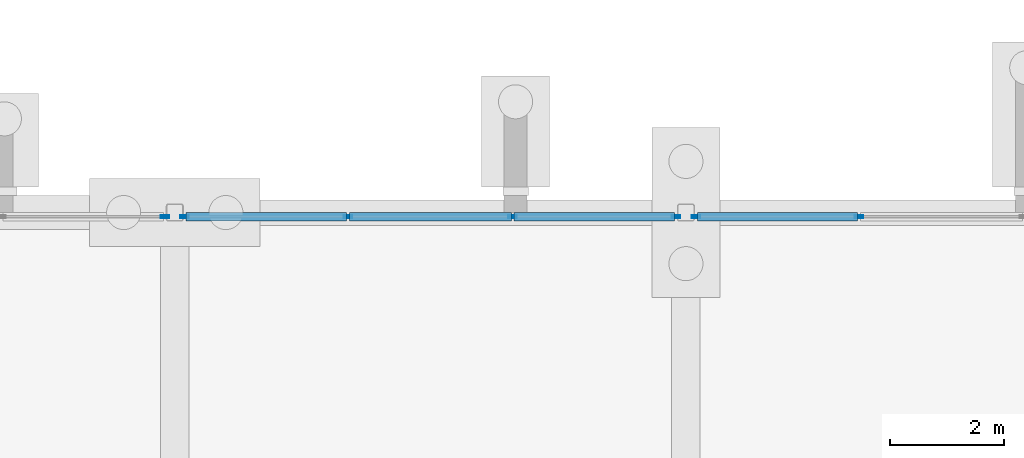
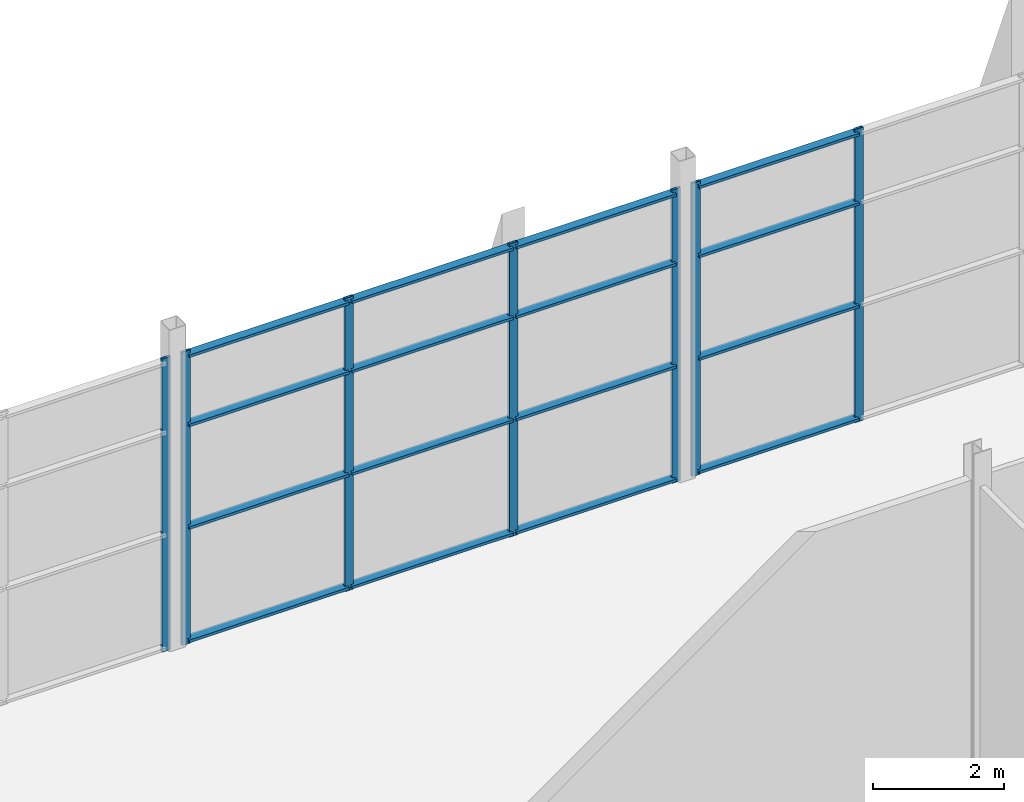
# One storey, part 82 of 139: 23 members, 3 elements without a shape of their own.
"""IFC4 building model written with IfcOpenShell, lengths in metres."""

from ifc_helpers import new_model, si_unit, direction, frame, origin, origin_2d, place, context, subcontext, project, spatial, hollow_rectangle, extrude, material, layer, layer_set, material_profile, profile_set, type_object, element, aggregate, save


model = new_model("IFC4")

# Units and contexts
model_context = context("Model", 3, precision=1e-05, world=origin(), true_north=direction((0.0, 1.0)))
body_context = subcontext(model_context, "Body", "Model", "MODEL_VIEW")
ifc_project = project(units=[si_unit("LENGTHUNIT", "METRE"), si_unit("AREAUNIT", "SQUARE_METRE"), si_unit("VOLUMEUNIT", "CUBIC_METRE"), si_unit("PLANEANGLEUNIT", "RADIAN"), si_unit("MASSUNIT", "GRAM", prefix="KILO")], contexts=[model_context])

# Site, building, storey
site_placement = place(None, origin())
site = spatial("IfcSite", under=ifc_project, at=site_placement, CompositionType="ELEMENT")
building_placement = place(site_placement, origin())
building = spatial("IfcBuilding", under=site, at=building_placement, Name="Shorebreak Coast Museum", CompositionType="ELEMENT")
storey_placement = place(building_placement, origin())
storey = spatial("IfcBuildingStorey", under=building, at=storey_placement, Name="L00", CompositionType="ELEMENT", Elevation=0.0)

# Curtain wall, member
ifc_material_1 = material(Name="Aluminium", Category="aluminium")
ifc_layer = layer(ifc_material_1, 0.14990234375)
ifc_layer_set = layer_set([ifc_layer], Name="Aluminium")
curtain_wall_type = type_object("IfcCurtainWallType", Name="Storefront curtain wall", PredefinedType="NOTDEFINED", material=ifc_layer_set)
curtain_wall_1_placement = place(storey_placement, origin())
curtain_wall_1 = element("IfcCurtainWall", 1, at=curtain_wall_1_placement, inside=storey, type_object=curtain_wall_type, Name="Storefront L00 N 2", PredefinedType="NOTDEFINED")
ifc_material_2 = material(Name="Aluminium", Category="aluminium")
ifc_material_profile_1 = material_profile(ifc_material_2, hollow_rectangle(XDim=0.050048828125, YDim=0.14990234375, WallThickness=0.00390625, at=origin_2d()), Name="AL 150x50 RHS")
ifc_profile_set_1 = profile_set([ifc_material_profile_1], Name="Aluminium")
member_type_1 = type_object("IfcMemberType", Name="Storefront mullion 50 x 150", PredefinedType="MULLION", material=ifc_profile_set_1)
member_1_placement = place(storey_placement, frame((125.824951171875, 89.925048828125, 0.0), z_axis=(0.0, 0.0, 1.0), x_axis=(0.0, 1.0, 0.0)))
member_1 = element("IfcMember", 2, at=member_1_placement, type_object=member_type_1, Name="CW8 mullion 4", PredefinedType="MULLION", context=body_context, shape_type="SweptSolid", body=[
    extrude(hollow_rectangle(XDim=0.050048828125, YDim=0.14990234375, WallThickness=0.00390625, at=origin_2d()), origin(), (0.0, 0.0, 1.0), 5.469482421875),
])
aggregate(curtain_wall_1, [member_1])

# Curtain wall, members
curtain_wall_2_placement = place(storey_placement, origin())
curtain_wall_2 = element("IfcCurtainWall", 3, at=curtain_wall_2_placement, inside=storey, type_object=curtain_wall_type, Name="Storefront L00 N 3", PredefinedType="NOTDEFINED")
member_2_placement = place(storey_placement, frame((126.175048828125, 89.925048828125, 0.0), z_axis=(0.0, 0.0, 1.0), x_axis=(0.0, 1.0, 0.0)))
member_2 = element("IfcMember", 4, at=member_2_placement, type_object=member_type_1, Name="CW8 mullion 1", PredefinedType="MULLION", context=body_context, shape_type="SweptSolid", body=[
    extrude(hollow_rectangle(XDim=0.050048828125, YDim=0.14990234375, WallThickness=0.00390625, at=origin_2d()), origin(), (0.0, 0.0, 1.0), 5.469482421875),
])
member_3_placement = place(storey_placement, frame((129.050048828125, 89.925048828125, 0.0), z_axis=(0.0, 0.0, 1.0), x_axis=(0.0, 1.0, 0.0)))
member_3 = element("IfcMember", 5, at=member_3_placement, type_object=member_type_1, Name="CW8 mullion 2", PredefinedType="MULLION", context=body_context, shape_type="SweptSolid", body=[
    extrude(hollow_rectangle(XDim=0.050048828125, YDim=0.14990234375, WallThickness=0.00390625, at=origin_2d()), origin(), (0.0, 0.0, 1.0), 5.469482421875),
])
member_4_placement = place(storey_placement, frame((131.949951171875, 89.925048828125, 0.0), z_axis=(0.0, 0.0, 1.0), x_axis=(0.0, 1.0, 0.0)))
member_4 = element("IfcMember", 6, at=member_4_placement, type_object=member_type_1, Name="CW8 mullion 3", PredefinedType="MULLION", context=body_context, shape_type="SweptSolid", body=[
    extrude(hollow_rectangle(XDim=0.050048828125, YDim=0.14990234375, WallThickness=0.00390625, at=origin_2d()), origin(), (0.0, 0.0, 1.0), 5.469482421875),
])
member_5_placement = place(storey_placement, frame((134.824951171875, 89.925048828125, 0.0), z_axis=(0.0, 0.0, 1.0), x_axis=(0.0, 1.0, 0.0)))
member_5 = element("IfcMember", 7, at=member_5_placement, type_object=member_type_1, Name="CW8 mullion 4", PredefinedType="MULLION", context=body_context, shape_type="SweptSolid", body=[
    extrude(hollow_rectangle(XDim=0.050048828125, YDim=0.14990234375, WallThickness=0.00390625, at=origin_2d()), origin(), (0.0, 0.0, 1.0), 5.469482421875),
])

curtain_wall_3_placement = place(storey_placement, origin())
curtain_wall_3 = element("IfcCurtainWall", 8, at=curtain_wall_3_placement, inside=storey, type_object=curtain_wall_type, Name="Storefront L00 N 4", PredefinedType="NOTDEFINED")
member_6_placement = place(storey_placement, frame((135.175048828125, 89.925048828125, 0.0), z_axis=(0.0, 0.0, 1.0), x_axis=(0.0, 1.0, 0.0)))
member_6 = element("IfcMember", 9, at=member_6_placement, type_object=member_type_1, Name="CW8 mullion 1", PredefinedType="MULLION", context=body_context, shape_type="SweptSolid", body=[
    extrude(hollow_rectangle(XDim=0.050048828125, YDim=0.14990234375, WallThickness=0.00390625, at=origin_2d()), origin(), (0.0, 0.0, 1.0), 5.469482421875),
])
member_7_placement = place(storey_placement, frame((138.050048828125, 89.925048828125, 0.0), z_axis=(0.0, 0.0, 1.0), x_axis=(0.0, 1.0, 0.0)))
member_7 = element("IfcMember", 10, at=member_7_placement, type_object=member_type_1, Name="CW8 mullion 2", PredefinedType="MULLION", context=body_context, shape_type="SweptSolid", body=[
    extrude(hollow_rectangle(XDim=0.050048828125, YDim=0.14990234375, WallThickness=0.00390625, at=origin_2d()), origin(), (0.0, 0.0, 1.0), 5.469482421875),
])

# Member
ifc_material_3 = material(Name="Aluminium", Category="aluminium")
ifc_material_profile_2 = material_profile(ifc_material_3, hollow_rectangle(XDim=0.14990234375, YDim=0.050048828125, WallThickness=0.00390625, at=origin_2d()), Name="AL 50x150 RHS")
ifc_profile_set_2 = profile_set([ifc_material_profile_2], Name="Aluminium")
member_type_2 = type_object("IfcMemberType", Name="Storefront transom 150 x 50", PredefinedType="USERDEFINED", material=ifc_profile_set_2)
member_8_placement = place(storey_placement, frame((126.199951171875, 89.925048828125, 0.074951171875), z_axis=(1.0, 0.0, 0.0), x_axis=(0.0, 1.0, 0.0)))
member_8 = element("IfcMember", 11, at=member_8_placement, type_object=member_type_2, Name="CW8 transom 1.1", ObjectType="TRANSOM", PredefinedType="USERDEFINED", context=body_context, shape_type="SweptSolid", body=[
    extrude(hollow_rectangle(XDim=0.14990234375, YDim=0.050048828125, WallThickness=0.00390625, at=origin_2d()), origin(), (0.0, 0.0, 1.0), 2.824951171875),
])

member_9_placement = place(storey_placement, frame((126.199951171875, 89.925048828125, 2.187744140625), z_axis=(1.0, 0.0, 0.0), x_axis=(0.0, 1.0, 0.0)))
member_9 = element("IfcMember", 12, at=member_9_placement, type_object=member_type_2, Name="CW8 transom 1.2", ObjectType="TRANSOM", PredefinedType="USERDEFINED", context=body_context, shape_type="SweptSolid", body=[
    extrude(hollow_rectangle(XDim=0.14990234375, YDim=0.050048828125, WallThickness=0.00390625, at=origin_2d()), origin(), (0.0, 0.0, 1.0), 2.824951171875),
])

member_10_placement = place(storey_placement, frame((126.199951171875, 89.925048828125, 4.10205078125), z_axis=(1.0, 0.0, 0.0), x_axis=(0.0, 1.0, 0.0)))
member_10 = element("IfcMember", 13, at=member_10_placement, type_object=member_type_2, Name="CW8 transom 1.3", ObjectType="TRANSOM", PredefinedType="USERDEFINED", context=body_context, shape_type="SweptSolid", body=[
    extrude(hollow_rectangle(XDim=0.14990234375, YDim=0.050048828125, WallThickness=0.00390625, at=origin_2d()), origin(), (0.0, 0.0, 1.0), 2.824951171875),
])

member_11_placement = place(storey_placement, frame((126.199951171875, 89.925048828125, 5.394287109375), z_axis=(1.0, 0.0, 0.0), x_axis=(0.0, 1.0, 0.0)))
member_11 = element("IfcMember", 14, at=member_11_placement, type_object=member_type_2, Name="CW8 transom 1.4", ObjectType="TRANSOM", PredefinedType="USERDEFINED", context=body_context, shape_type="SweptSolid", body=[
    extrude(hollow_rectangle(XDim=0.14990234375, YDim=0.050048828125, WallThickness=0.00390625, at=origin_2d()), origin(), (0.0, 0.0, 1.0), 2.824951171875),
])

member_12_placement = place(storey_placement, frame((129.074951171875, 89.925048828125, 0.074951171875), z_axis=(1.0, 0.0, 0.0), x_axis=(0.0, 1.0, 0.0)))
member_12 = element("IfcMember", 15, at=member_12_placement, type_object=member_type_2, Name="CW8 transom 2.1", ObjectType="TRANSOM", PredefinedType="USERDEFINED", context=body_context, shape_type="SweptSolid", body=[
    extrude(hollow_rectangle(XDim=0.14990234375, YDim=0.050048828125, WallThickness=0.00390625, at=origin_2d()), origin(), (0.0, 0.0, 1.0), 2.85009765625),
])

member_13_placement = place(storey_placement, frame((129.074951171875, 89.925048828125, 2.187744140625), z_axis=(1.0, 0.0, 0.0), x_axis=(0.0, 1.0, 0.0)))
member_13 = element("IfcMember", 16, at=member_13_placement, type_object=member_type_2, Name="CW8 transom 2.2", ObjectType="TRANSOM", PredefinedType="USERDEFINED", context=body_context, shape_type="SweptSolid", body=[
    extrude(hollow_rectangle(XDim=0.14990234375, YDim=0.050048828125, WallThickness=0.00390625, at=origin_2d()), origin(), (0.0, 0.0, 1.0), 2.85009765625),
])

member_14_placement = place(storey_placement, frame((129.074951171875, 89.925048828125, 4.10205078125), z_axis=(1.0, 0.0, 0.0), x_axis=(0.0, 1.0, 0.0)))
member_14 = element("IfcMember", 17, at=member_14_placement, type_object=member_type_2, Name="CW8 transom 2.3", ObjectType="TRANSOM", PredefinedType="USERDEFINED", context=body_context, shape_type="SweptSolid", body=[
    extrude(hollow_rectangle(XDim=0.14990234375, YDim=0.050048828125, WallThickness=0.00390625, at=origin_2d()), origin(), (0.0, 0.0, 1.0), 2.85009765625),
])

member_15_placement = place(storey_placement, frame((129.074951171875, 89.925048828125, 5.394287109375), z_axis=(1.0, 0.0, 0.0), x_axis=(0.0, 1.0, 0.0)))
member_15 = element("IfcMember", 18, at=member_15_placement, type_object=member_type_2, Name="CW8 transom 2.4", ObjectType="TRANSOM", PredefinedType="USERDEFINED", context=body_context, shape_type="SweptSolid", body=[
    extrude(hollow_rectangle(XDim=0.14990234375, YDim=0.050048828125, WallThickness=0.00390625, at=origin_2d()), origin(), (0.0, 0.0, 1.0), 2.85009765625),
])

member_16_placement = place(storey_placement, frame((131.97509765625, 89.925048828125, 0.074951171875), z_axis=(1.0, 0.0, 0.0), x_axis=(0.0, 1.0, 0.0)))
member_16 = element("IfcMember", 19, at=member_16_placement, type_object=member_type_2, Name="CW8 transom 3.1", ObjectType="TRANSOM", PredefinedType="USERDEFINED", context=body_context, shape_type="SweptSolid", body=[
    extrude(hollow_rectangle(XDim=0.14990234375, YDim=0.050048828125, WallThickness=0.00390625, at=origin_2d()), origin(), (0.0, 0.0, 1.0), 2.824951171875),
])

member_17_placement = place(storey_placement, frame((131.97509765625, 89.925048828125, 2.187744140625), z_axis=(1.0, 0.0, 0.0), x_axis=(0.0, 1.0, 0.0)))
member_17 = element("IfcMember", 20, at=member_17_placement, type_object=member_type_2, Name="CW8 transom 3.2", ObjectType="TRANSOM", PredefinedType="USERDEFINED", context=body_context, shape_type="SweptSolid", body=[
    extrude(hollow_rectangle(XDim=0.14990234375, YDim=0.050048828125, WallThickness=0.00390625, at=origin_2d()), origin(), (0.0, 0.0, 1.0), 2.824951171875),
])

member_18_placement = place(storey_placement, frame((131.97509765625, 89.925048828125, 4.10205078125), z_axis=(1.0, 0.0, 0.0), x_axis=(0.0, 1.0, 0.0)))
member_18 = element("IfcMember", 21, at=member_18_placement, type_object=member_type_2, Name="CW8 transom 3.3", ObjectType="TRANSOM", PredefinedType="USERDEFINED", context=body_context, shape_type="SweptSolid", body=[
    extrude(hollow_rectangle(XDim=0.14990234375, YDim=0.050048828125, WallThickness=0.00390625, at=origin_2d()), origin(), (0.0, 0.0, 1.0), 2.824951171875),
])

member_19_placement = place(storey_placement, frame((131.97509765625, 89.925048828125, 5.394287109375), z_axis=(1.0, 0.0, 0.0), x_axis=(0.0, 1.0, 0.0)))
member_19 = element("IfcMember", 22, at=member_19_placement, type_object=member_type_2, Name="CW8 transom 3.4", ObjectType="TRANSOM", PredefinedType="USERDEFINED", context=body_context, shape_type="SweptSolid", body=[
    extrude(hollow_rectangle(XDim=0.14990234375, YDim=0.050048828125, WallThickness=0.00390625, at=origin_2d()), origin(), (0.0, 0.0, 1.0), 2.824951171875),
])

aggregate(curtain_wall_2, [member_2, member_3, member_4, member_5, member_8, member_9, member_10, member_11, member_12, member_13, member_14, member_15, member_16, member_17, member_18, member_19])

member_20_placement = place(storey_placement, frame((135.199951171875, 89.925048828125, 0.074951171875), z_axis=(1.0, 0.0, 0.0), x_axis=(0.0, 1.0, 0.0)))
member_20 = element("IfcMember", 23, at=member_20_placement, type_object=member_type_2, Name="CW8 transom 1.1", ObjectType="TRANSOM", PredefinedType="USERDEFINED", context=body_context, shape_type="SweptSolid", body=[
    extrude(hollow_rectangle(XDim=0.14990234375, YDim=0.050048828125, WallThickness=0.00390625, at=origin_2d()), origin(), (0.0, 0.0, 1.0), 2.824951171875),
])

member_21_placement = place(storey_placement, frame((135.199951171875, 89.925048828125, 2.187744140625), z_axis=(1.0, 0.0, 0.0), x_axis=(0.0, 1.0, 0.0)))
member_21 = element("IfcMember", 24, at=member_21_placement, type_object=member_type_2, Name="CW8 transom 1.2", ObjectType="TRANSOM", PredefinedType="USERDEFINED", context=body_context, shape_type="SweptSolid", body=[
    extrude(hollow_rectangle(XDim=0.14990234375, YDim=0.050048828125, WallThickness=0.00390625, at=origin_2d()), origin(), (0.0, 0.0, 1.0), 2.824951171875),
])

member_22_placement = place(storey_placement, frame((135.199951171875, 89.925048828125, 4.10205078125), z_axis=(1.0, 0.0, 0.0), x_axis=(0.0, 1.0, 0.0)))
member_22 = element("IfcMember", 25, at=member_22_placement, type_object=member_type_2, Name="CW8 transom 1.3", ObjectType="TRANSOM", PredefinedType="USERDEFINED", context=body_context, shape_type="SweptSolid", body=[
    extrude(hollow_rectangle(XDim=0.14990234375, YDim=0.050048828125, WallThickness=0.00390625, at=origin_2d()), origin(), (0.0, 0.0, 1.0), 2.824951171875),
])

member_23_placement = place(storey_placement, frame((135.199951171875, 89.925048828125, 5.394287109375), z_axis=(1.0, 0.0, 0.0), x_axis=(0.0, 1.0, 0.0)))
member_23 = element("IfcMember", 26, at=member_23_placement, type_object=member_type_2, Name="CW8 transom 1.4", ObjectType="TRANSOM", PredefinedType="USERDEFINED", context=body_context, shape_type="SweptSolid", body=[
    extrude(hollow_rectangle(XDim=0.14990234375, YDim=0.050048828125, WallThickness=0.00390625, at=origin_2d()), origin(), (0.0, 0.0, 1.0), 2.824951171875),
])

aggregate(curtain_wall_3, [member_6, member_7, member_20, member_21, member_22, member_23])

save(model, "model.ifc")
